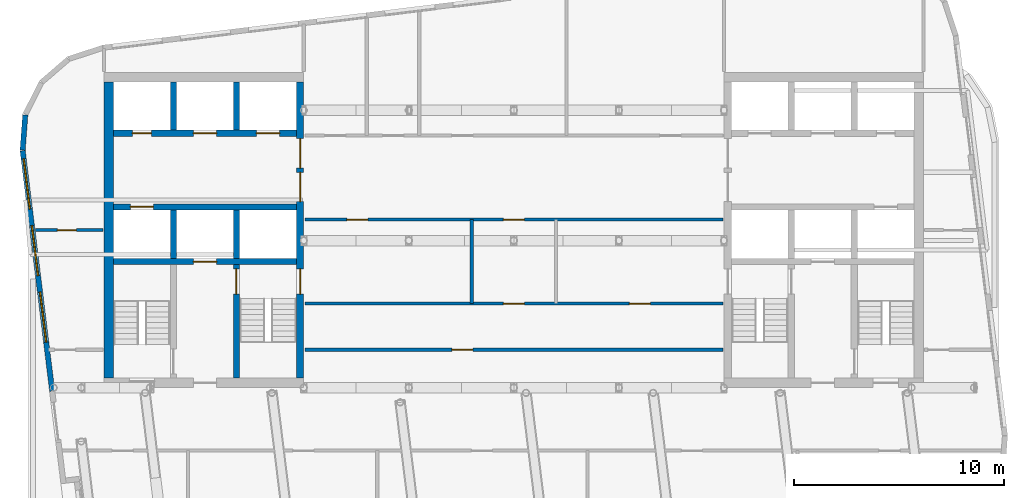
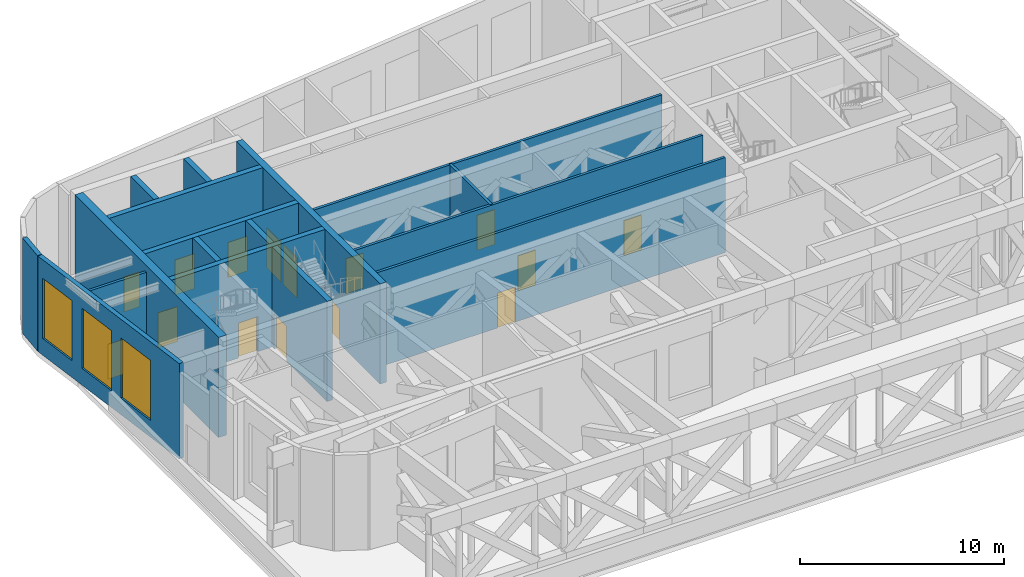
# One storey, part 10 of 16: 17 walls, 15 doors, 3 windows, 18 openings.
"""IFC4 building model written with IfcOpenShell, lengths in metres."""

from ifc_helpers import new_model, si_unit, direction, frame, frame_2d, origin, place, context, subcontext, project, spatial, rectangle, extrude, material, layer, layer_set, type_object, element, fill, save


model = new_model("IFC4")

# Units and contexts
model_context = context("Model", 3, precision=1e-05, world=origin(), true_north=direction((0.0, 1.0)))
body_context = subcontext(model_context, "Body", "Model", "MODEL_VIEW")
ifc_project = project(units=[si_unit("LENGTHUNIT", "METRE"), si_unit("AREAUNIT", "SQUARE_METRE"), si_unit("VOLUMEUNIT", "CUBIC_METRE"), si_unit("PLANEANGLEUNIT", "RADIAN"), si_unit("MASSUNIT", "GRAM", prefix="KILO")], contexts=[model_context])

# Site, building, storey
site_placement = place(None, origin())
site = spatial("IfcSite", under=ifc_project, at=site_placement, CompositionType="ELEMENT")
building_placement = place(site_placement, origin())
building = spatial("IfcBuilding", under=site, at=building_placement, Name="Torana Hotel and Residences", CompositionType="ELEMENT")
storey_placement = place(building_placement, frame((0.0, 0.0, 308.60009765625)))
storey = spatial("IfcBuildingStorey", under=building, at=storey_placement, Name="L82", CompositionType="ELEMENT", Elevation=308.60009765625)

# Wall, openings, doors
ifc_material_1 = material(Name="Concrete C60/75", Category="concrete")
ifc_layer_1 = layer(ifc_material_1, 0.300048828125)
ifc_layer_set_1 = layer_set([ifc_layer_1], Name="CORE WALL 300 C60/75")
wall_type_1 = type_object("IfcWallType", Name="CORE WALL 300 C60/75", PredefinedType="SHEAR", material=ifc_layer_set_1)
wall_1_placement = place(storey_placement, frame((-19.050048828125, -2.89990234375, 0.0), z_axis=(0.0, 0.0, 1.0), x_axis=(1.0, 0.0, 0.0)))
wall_1 = element("IfcWall", 1, at=wall_1_placement, inside=storey, type_object=wall_type_1, Name="Core wall W row-N", PredefinedType="SHEAR", context=body_context, shape_type="SweptSolid", body=[
    extrude(rectangle(XDim=8.699951171875, YDim=0.300048828125, at=frame_2d((4.35009765625, 0.0))), origin(), (0.0, 0.0, 1.0), 6.0),
])
opening_1_placement = place(wall_1_placement, frame((6.800048828125, 0.0, 0.0)))
opening_1 = element("IfcOpeningElement", 2, at=opening_1_placement, cuts=wall_1, Name="Opening LD", PredefinedType="OPENING", context=body_context, shape_type="SweptSolid", body=[
    extrude(rectangle(XDim=1.10009765625, YDim=2.10009765625, at=frame_2d((0.550048828125, 1.050048828125))), frame((0.0, 0.159912109375, 0.0), z_axis=(0.0, -1.0, 0.0), x_axis=(1.0, 0.0, 0.0)), (0.0, 0.0, 1.0), 0.320068359375),
])
opening_2_placement = place(wall_1_placement, frame((3.800048828125, 0.0, 0.0)))
opening_2 = element("IfcOpeningElement", 3, at=opening_2_placement, cuts=wall_1, Name="Opening LD", PredefinedType="OPENING", context=body_context, shape_type="SweptSolid", body=[
    extrude(rectangle(XDim=1.10009765625, YDim=2.10009765625, at=frame_2d((0.550048828125, 1.050048828125))), frame((0.0, 0.159912109375, 0.0), z_axis=(0.0, -1.0, 0.0), x_axis=(1.0, 0.0, 0.0)), (0.0, 0.0, 1.0), 0.320068359375),
])
opening_3_placement = place(wall_1_placement, frame((0.89990234375, 0.0, 0.0)))
opening_3 = element("IfcOpeningElement", 4, at=opening_3_placement, cuts=wall_1, Name="Opening L82-06", PredefinedType="OPENING", context=body_context, shape_type="SweptSolid", body=[
    extrude(rectangle(XDim=0.89990234375, YDim=2.10009765625, at=frame_2d((0.449951171875, 1.050048828125))), frame((0.0, 0.159912109375, 0.0), z_axis=(0.0, -1.0, 0.0), x_axis=(1.0, 0.0, 0.0)), (0.0, 0.0, 1.0), 0.320068359375),
])
ifc_material_2 = material(Name="Stainless steel 316", Category="steel")
door_type_1 = type_object("IfcDoorType", Name="LIFT LANDING DOOR LD 1100x2100", OperationType="DOUBLE_DOOR_SLIDING", PredefinedType="USERDEFINED", material=ifc_material_2)
door_1_placement = place(opening_1_placement, origin())
door_1 = element("IfcDoor", 5, at=door_1_placement, inside=storey, type_object=door_type_1, Name="Lift landing door H1 L82", ObjectType="LIFT LANDING DOOR", OperationType="DOUBLE_DOOR_SLIDING", OverallHeight=2.10009765625, OverallWidth=1.10009765625, PredefinedType="USERDEFINED", context=body_context, shape_type="SweptSolid", body=[
    extrude(rectangle(XDim=1.10009765625, YDim=2.10009765625, at=frame_2d((0.550048828125, 1.050048828125))), frame((0.0, 0.02490234375, 0.0), z_axis=(0.0, -1.0, 0.0), x_axis=(1.0, 0.0, 0.0)), (0.0, 0.0, 1.0), 0.050048828125),
])
fill(opening_1, door_1)
door_2_placement = place(opening_2_placement, origin())
door_2 = element("IfcDoor", 6, at=door_2_placement, inside=storey, type_object=door_type_1, Name="Lift landing door H2 L82", ObjectType="LIFT LANDING DOOR", OperationType="DOUBLE_DOOR_SLIDING", OverallHeight=2.10009765625, OverallWidth=1.10009765625, PredefinedType="USERDEFINED", context=body_context, shape_type="SweptSolid", body=[
    extrude(rectangle(XDim=1.10009765625, YDim=2.10009765625, at=frame_2d((0.550048828125, 1.050048828125))), frame((0.0, 0.02490234375, 0.0), z_axis=(0.0, -1.0, 0.0), x_axis=(1.0, 0.0, 0.0)), (0.0, 0.0, 1.0), 0.050048828125),
])
fill(opening_2, door_2)
ifc_material_3 = material(Name="Steel S235", Category="steel")
door_type_2 = type_object("IfcDoorType", Name="RISER ACCESS DOOR D5 900x2100", OperationType="SINGLE_SWING_LEFT", PredefinedType="DOOR", material=ifc_material_3)
door_3_placement = place(opening_3_placement, origin())
door_3 = element("IfcDoor", 7, at=door_3_placement, inside=storey, type_object=door_type_2, Name="N2 door L82", OperationType="SINGLE_SWING_RIGHT", OverallHeight=2.10009765625, OverallWidth=0.89990234375, PredefinedType="DOOR", context=body_context, shape_type="SweptSolid", body=[
    extrude(rectangle(XDim=0.89990234375, YDim=2.10009765625, at=frame_2d((0.449951171875, 1.050048828125))), frame((0.0, 0.02490234375, 0.0), z_axis=(0.0, -1.0, 0.0), x_axis=(1.0, 0.0, 0.0)), (0.0, 0.0, 1.0), 0.050048828125),
])
fill(opening_3, door_3)

# Wall, opening, door
wall_2_placement = place(storey_placement, frame((-19.050048828125, -6.39990234375, 0.0), z_axis=(0.0, 0.0, 1.0), x_axis=(1.0, 0.0, 0.0)))
wall_2 = element("IfcWall", 8, at=wall_2_placement, inside=storey, type_object=wall_type_1, Name="Core wall W row-S", PredefinedType="SHEAR", context=body_context, shape_type="SweptSolid", body=[
    extrude(rectangle(XDim=8.699951171875, YDim=0.300048828125, at=frame_2d((4.35009765625, 0.0))), origin(), (0.0, 0.0, 1.0), 6.0),
])
opening_4_placement = place(wall_2_placement, frame((0.800048828125, 0.0, 0.0)))
opening_4 = element("IfcOpeningElement", 9, at=opening_4_placement, cuts=wall_2, Name="Opening LD", PredefinedType="OPENING", context=body_context, shape_type="SweptSolid", body=[
    extrude(rectangle(XDim=1.10009765625, YDim=2.10009765625, at=frame_2d((0.550048828125, 1.050048828125))), frame((0.0, 0.159912109375, 0.0), z_axis=(0.0, -1.0, 0.0), x_axis=(1.0, 0.0, 0.0)), (0.0, 0.0, 1.0), 0.320068359375),
])
door_4_placement = place(opening_4_placement, origin())
door_4 = element("IfcDoor", 10, at=door_4_placement, inside=storey, type_object=door_type_1, Name="Lift landing door SV1 L82", ObjectType="LIFT LANDING DOOR", OperationType="DOUBLE_DOOR_SLIDING", OverallHeight=2.10009765625, OverallWidth=1.10009765625, PredefinedType="USERDEFINED", context=body_context, shape_type="SweptSolid", body=[
    extrude(rectangle(XDim=1.10009765625, YDim=2.10009765625, at=frame_2d((0.550048828125, 1.050048828125))), frame((0.0, 0.02490234375, 0.0), z_axis=(0.0, -1.0, 0.0), x_axis=(1.0, 0.0, 0.0)), (0.0, 0.0, 1.0), 0.050048828125),
])
fill(opening_4, door_4)

wall_3_placement = place(storey_placement, frame((-19.050048828125, -9.0, 0.0), z_axis=(0.0, 0.0, 1.0), x_axis=(1.0, 0.0, 0.0)))
wall_3 = element("IfcWall", 11, at=wall_3_placement, inside=storey, type_object=wall_type_1, Name="Core wall W band", PredefinedType="SHEAR", context=body_context, shape_type="SweptSolid", body=[
    extrude(rectangle(XDim=8.699951171875, YDim=0.300048828125, at=frame_2d((4.35009765625, 0.0))), origin(), (0.0, 0.0, 1.0), 6.0),
])
opening_5_placement = place(wall_3_placement, frame((3.800048828125, 0.0, 0.0)))
opening_5 = element("IfcOpeningElement", 12, at=opening_5_placement, cuts=wall_3, Name="Opening LD", PredefinedType="OPENING", context=body_context, shape_type="SweptSolid", body=[
    extrude(rectangle(XDim=1.10009765625, YDim=2.10009765625, at=frame_2d((0.550048828125, 1.050048828125))), frame((0.0, 0.159912109375, 0.0), z_axis=(0.0, -1.0, 0.0), x_axis=(1.0, 0.0, 0.0)), (0.0, 0.0, 1.0), 0.320068359375),
])
door_5_placement = place(opening_5_placement, origin())
door_5 = element("IfcDoor", 13, at=door_5_placement, inside=storey, type_object=door_type_1, Name="Lift landing door FF1 L82", ObjectType="LIFT LANDING DOOR", OperationType="DOUBLE_DOOR_SLIDING", OverallHeight=2.10009765625, OverallWidth=1.10009765625, PredefinedType="USERDEFINED", context=body_context, shape_type="SweptSolid", body=[
    extrude(rectangle(XDim=1.10009765625, YDim=2.10009765625, at=frame_2d((0.550048828125, 1.050048828125))), frame((0.0, 0.02490234375, 0.0), z_axis=(0.0, -1.0, 0.0), x_axis=(1.0, 0.0, 0.0)), (0.0, 0.0, 1.0), 0.050048828125),
])
fill(opening_5, door_5)

# Walls
for number, where, z_axis, x_axis, name in (
    (14, (-13.199951171875, -2.75, 0.0), (0.0, 0.0, 1.0), (0.0, 1.0, 0.0), "Core wall W x3.05-N"),
    (15, (-13.199951171875, -8.85009765625, 0.0), (0.0, 0.0, 1.0), (0.0, 1.0, 0.0), "Core wall W x3.05-S"),
):
    element("IfcWall", number, at=place(storey_placement, frame(where, z_axis=z_axis, x_axis=x_axis)), inside=storey, type_object=wall_type_1, Name=name, PredefinedType="SHEAR", context=body_context, shape_type="SweptSolid", body=[
        extrude(rectangle(XDim=2.300048828125, YDim=0.300048828125, at=frame_2d((1.14990234375, 0.0))), origin(), (0.0, 0.0, 1.0), 6.0),
    ])

# Wall, opening, door
wall_4_placement = place(storey_placement, frame((-13.199951171875, -14.550048828125, 0.0), z_axis=(0.0, 0.0, 1.0), x_axis=(0.0, 1.0, 0.0)))
wall_4 = element("IfcWall", 16, at=wall_4_placement, inside=storey, type_object=wall_type_1, Name="Core wall W x3.05-band", PredefinedType="SHEAR", context=body_context, shape_type="SweptSolid", body=[
    extrude(rectangle(XDim=5.400146484375, YDim=0.300048828125, at=frame_2d((2.7001953125, 0.0))), origin(), (0.0, 0.0, 1.0), 6.0),
])
opening_6_placement = place(wall_4_placement, frame((4.0, 0.0, 0.0)))
opening_6 = element("IfcOpeningElement", 17, at=opening_6_placement, cuts=wall_4, Name="Opening L82-07", PredefinedType="OPENING", context=body_context, shape_type="SweptSolid", body=[
    extrude(rectangle(XDim=1.199951171875, YDim=2.10009765625, at=frame_2d((0.60009765625, 1.050048828125))), frame((0.0, 0.159912109375, 0.0), z_axis=(0.0, -1.0, 0.0), x_axis=(1.0, 0.0, 0.0)), (0.0, 0.0, 1.0), 0.320068359375),
])
ifc_material_4 = material(Name="Steel S235", Category="steel")
door_type_3 = type_object("IfcDoorType", Name="STAIR FIRE DOOR D3 1200x2100", OperationType="SINGLE_SWING_LEFT", PredefinedType="DOOR", material=ifc_material_4)
door_6_placement = place(opening_6_placement, frame((0.60009765625, 0.0, 0.0), z_axis=(0.0, 0.0, 1.0), x_axis=(-1.0, 0.0, 0.0)))
door_6 = element("IfcDoor", 18, at=door_6_placement, inside=storey, type_object=door_type_3, Name="Stair-A-lobby door L82", OperationType="SINGLE_SWING_RIGHT", OverallHeight=2.10009765625, OverallWidth=1.199951171875, PredefinedType="DOOR", context=body_context, shape_type="SweptSolid", body=[
    extrude(rectangle(XDim=1.199951171875, YDim=2.10009765625, at=frame_2d((0.0, 1.050048828125))), frame((0.0, -0.02490234375, 0.0), z_axis=(0.0, 1.0, 0.0), x_axis=(-1.0, 0.0, 0.0)), (0.0, 0.0, 1.0), 0.050048828125),
])
fill(opening_6, door_6)

# Walls
for number, where, z_axis, x_axis, name in (
    (19, (-16.199951171875, -2.75, 0.0), (0.0, 0.0, 1.0), (0.0, 1.0, 0.0), "Core wall W x6.05-N"),
    (20, (-16.199951171875, -8.85009765625, 0.0), (0.0, 0.0, 1.0), (0.0, 1.0, 0.0), "Core wall W x6.05-S"),
):
    element("IfcWall", number, at=place(storey_placement, frame(where, z_axis=z_axis, x_axis=x_axis)), inside=storey, type_object=wall_type_1, Name=name, PredefinedType="SHEAR", context=body_context, shape_type="SweptSolid", body=[
        extrude(rectangle(XDim=2.300048828125, YDim=0.300048828125, at=frame_2d((1.14990234375, 0.0))), origin(), (0.0, 0.0, 1.0), 6.0),
    ])

# Wall, openings, doors
ifc_material_5 = material(Name="Concrete C60/75", Category="concrete")
ifc_layer_2 = layer(ifc_material_5, 0.35009765625)
ifc_layer_set_2 = layer_set([ifc_layer_2], Name="CORE WALL 350 C60/75")
wall_type_2 = type_object("IfcWallType", Name="CORE WALL 350 C60/75", PredefinedType="SHEAR", material=ifc_layer_set_2)
wall_5_placement = place(storey_placement, frame((-10.175048828125, -14.550048828125, 0.0), z_axis=(0.0, 0.0, 1.0), x_axis=(0.0, 1.0, 0.0)))
wall_5 = element("IfcWall", 21, at=wall_5_placement, inside=storey, type_object=wall_type_2, Name="Core wall W arch", PredefinedType="SHEAR", context=body_context, shape_type="SweptSolid", body=[
    extrude(rectangle(XDim=14.10009765625, YDim=0.35009765625, at=frame_2d((7.050048828125, 0.0))), origin(), (0.0, 0.0, 1.0), 6.0),
])
opening_7_placement = place(wall_5_placement, frame((8.39990234375, 0.0, 0.0)))
opening_7 = element("IfcOpeningElement", 22, at=opening_7_placement, cuts=wall_5, Name="Opening L82-01", PredefinedType="OPENING", context=body_context, shape_type="SweptSolid", body=[
    extrude(rectangle(XDim=1.39990234375, YDim=2.39990234375, at=frame_2d((0.699951171875, 1.199951171875))), frame((0.0, 0.18505859375, 0.0), z_axis=(0.0, -1.0, 0.0), x_axis=(1.0, 0.0, 0.0)), (0.0, 0.0, 1.0), 0.3701171875),
])
opening_8_placement = place(wall_5_placement, frame((10.0, 0.0, 0.0)))
opening_8 = element("IfcOpeningElement", 23, at=opening_8_placement, cuts=wall_5, Name="Opening L82-02", PredefinedType="OPENING", context=body_context, shape_type="SweptSolid", body=[
    extrude(rectangle(XDim=1.39990234375, YDim=2.39990234375, at=frame_2d((0.699951171875, 1.199951171875))), frame((0.0, 0.18505859375, 0.0), z_axis=(0.0, -1.0, 0.0), x_axis=(1.0, 0.0, 0.0)), (0.0, 0.0, 1.0), 0.3701171875),
])
opening_9_placement = place(wall_5_placement, frame((4.0, 0.0, 0.0)))
opening_9 = element("IfcOpeningElement", 24, at=opening_9_placement, cuts=wall_5, Name="Opening L82-03", PredefinedType="OPENING", context=body_context, shape_type="SweptSolid", body=[
    extrude(rectangle(XDim=1.199951171875, YDim=2.10009765625, at=frame_2d((0.60009765625, 1.050048828125))), frame((0.0, 0.18505859375, 0.0), z_axis=(0.0, -1.0, 0.0), x_axis=(1.0, 0.0, 0.0)), (0.0, 0.0, 1.0), 0.3701171875),
])
ifc_material_6 = material(Name="Steel S235", Category="steel")
door_type_4 = type_object("IfcDoorType", Name="LOBBY FIRE DOOR D4 1400x2400", OperationType="DOUBLE_DOOR_SINGLE_SWING", PredefinedType="DOOR", material=ifc_material_6)
door_7_placement = place(opening_7_placement, origin())
door_7 = element("IfcDoor", 25, at=door_7_placement, inside=storey, type_object=door_type_4, Name="Lobby-1 door L82", OperationType="DOUBLE_DOOR_SINGLE_SWING", OverallHeight=2.39990234375, OverallWidth=1.39990234375, PredefinedType="DOOR", context=body_context, shape_type="SweptSolid", body=[
    extrude(rectangle(XDim=1.39990234375, YDim=2.39990234375, at=frame_2d((0.699951171875, 1.199951171875))), frame((0.0, 0.02490234375, 0.0), z_axis=(0.0, -1.0, 0.0), x_axis=(1.0, 0.0, 0.0)), (0.0, 0.0, 1.0), 0.050048828125),
])
fill(opening_7, door_7)
door_8_placement = place(opening_8_placement, origin())
door_8 = element("IfcDoor", 26, at=door_8_placement, inside=storey, type_object=door_type_4, Name="Lobby-2 door L82", OperationType="DOUBLE_DOOR_SINGLE_SWING", OverallHeight=2.39990234375, OverallWidth=1.39990234375, PredefinedType="DOOR", context=body_context, shape_type="SweptSolid", body=[
    extrude(rectangle(XDim=1.39990234375, YDim=2.39990234375, at=frame_2d((0.699951171875, 1.199951171875))), frame((0.0, 0.02490234375, 0.0), z_axis=(0.0, -1.0, 0.0), x_axis=(1.0, 0.0, 0.0)), (0.0, 0.0, 1.0), 0.050048828125),
])
fill(opening_8, door_8)
door_9_placement = place(opening_9_placement, origin())
door_9 = element("IfcDoor", 27, at=door_9_placement, inside=storey, type_object=door_type_3, Name="Stair-A door L82", OperationType="SINGLE_SWING_LEFT", OverallHeight=2.10009765625, OverallWidth=1.199951171875, PredefinedType="DOOR", context=body_context, shape_type="SweptSolid", body=[
    extrude(rectangle(XDim=1.199951171875, YDim=2.10009765625, at=frame_2d((0.60009765625, 1.050048828125))), frame((0.0, 0.02490234375, 0.0), z_axis=(0.0, -1.0, 0.0), x_axis=(1.0, 0.0, 0.0)), (0.0, 0.0, 1.0), 0.050048828125),
])
fill(opening_9, door_9)

# Walls
ifc_material_7 = material(Name="Concrete C60/75", Category="concrete")
ifc_layer_3 = layer(ifc_material_7, 0.449951171875)
ifc_layer_set_3 = layer_set([ifc_layer_3], Name="CORE WALL 450 C60/75")
wall_type_3 = type_object("IfcWallType", Name="CORE WALL 450 C60/75", PredefinedType="SHEAR", material=ifc_layer_set_3)
wall_6_placement = place(storey_placement, frame((-19.27490234375, -14.550048828125, 0.0), z_axis=(0.0, 0.0, 1.0), x_axis=(0.0, 1.0, 0.0)))
element("IfcWall", 28, at=wall_6_placement, inside=storey, type_object=wall_type_3, Name="Core wall W outer", PredefinedType="SHEAR", context=body_context, shape_type="SweptSolid", body=[
    extrude(rectangle(XDim=14.10009765625, YDim=0.449951171875, at=frame_2d((7.050048828125, 0.0))), origin(), (0.0, 0.0, 1.0), 6.0),
])
ifc_material_8 = material(Name="Aluminium louvre wall", Category="aluminium")
ifc_layer_4 = layer(ifc_material_8, 0.25)
ifc_layer_set_4 = layer_set([ifc_layer_4], Name="EW3 LOUVRE WALL 250")
wall_type_4 = type_object("IfcWallType", Name="EW3 LOUVRE WALL 250", PredefinedType="SOLIDWALL", material=ifc_layer_set_4)
wall_7_placement = place(storey_placement, frame((-23.251220703125, -2.021484375, 0.0), z_axis=(0.0, 0.0, 1.0), x_axis=(-0.074053534713, -0.997254267475, 0.0)))
element("IfcWall", 29, at=wall_7_placement, inside=storey, type_object=wall_type_4, Name="Louvre wall L82 e0.8", PredefinedType="SOLIDWALL", context=body_context, shape_type="SweptSolid", body=[
    extrude(rectangle(XDim=1.681396484375, YDim=0.25, at=frame_2d((0.8408203125, 0.0))), origin(), (0.0, 0.0, 1.0), 5.719970703125),
])

# Wall, openings, windows
wall_8_placement = place(storey_placement, frame((-23.375, -3.722900390625, 0.0), z_axis=(0.0, 0.0, 1.0), x_axis=(0.121852870635, -0.992548174104, 0.0)))
wall_8 = element("IfcWall", 30, at=wall_8_placement, inside=storey, type_object=wall_type_4, Name="Louvre wall L82 e0.9a", PredefinedType="SOLIDWALL", context=body_context, shape_type="SweptSolid", body=[
    extrude(rectangle(XDim=11.528564453125, YDim=0.25, at=frame_2d((5.76416015625, 0.0))), origin(), (0.0, 0.0, 1.0), 5.719970703125),
])
opening_10_placement = place(wall_8_placement, frame((0.39599609375, 0.0, 1.0048828125)))
opening_10 = element("IfcOpeningElement", 31, at=opening_10_placement, cuts=wall_8, Name="Opening LV2", PredefinedType="OPENING", context=body_context, shape_type="SweptSolid", body=[
    extrude(rectangle(XDim=2.39990234375, YDim=3.60009765625, at=frame_2d((1.199951171875, 1.800048828125))), frame((0.0, 0.135009765625, 0.0), z_axis=(0.0, -1.0, 0.0), x_axis=(1.0, 0.0, 0.0)), (0.0, 0.0, 1.0), 0.27001953125),
])
opening_11_placement = place(wall_8_placement, frame((3.587646484375, 0.0, 1.0048828125)))
opening_11 = element("IfcOpeningElement", 32, at=opening_11_placement, cuts=wall_8, Name="Opening LV2", PredefinedType="OPENING", context=body_context, shape_type="SweptSolid", body=[
    extrude(rectangle(XDim=2.39990234375, YDim=3.60009765625, at=frame_2d((1.199951171875, 1.800048828125))), frame((0.0, 0.135009765625, 0.0), z_axis=(0.0, -1.0, 0.0), x_axis=(1.0, 0.0, 0.0)), (0.0, 0.0, 1.0), 0.27001953125),
])
opening_12_placement = place(wall_8_placement, frame((6.779541015625, 0.0, 1.0048828125)))
opening_12 = element("IfcOpeningElement", 33, at=opening_12_placement, cuts=wall_8, Name="Opening LV2", PredefinedType="OPENING", context=body_context, shape_type="SweptSolid", body=[
    extrude(rectangle(XDim=2.39990234375, YDim=3.60009765625, at=frame_2d((1.199951171875, 1.800048828125))), frame((0.0, 0.135009765625, 0.0), z_axis=(0.0, -1.0, 0.0), x_axis=(1.0, 0.0, 0.0)), (0.0, 0.0, 1.0), 0.27001953125),
])
ifc_material_9 = material(Name="Aluminium louvre blades", Category="aluminium")
window_type = type_object("IfcWindowType", Name="LV2 LOUVRE 2400x3600", PartitioningType="SINGLE_PANEL", PredefinedType="USERDEFINED", material=ifc_material_9)
window_1_placement = place(opening_10_placement, origin())
window_1 = element("IfcWindow", 34, at=window_1_placement, inside=storey, type_object=window_type, Name="Louvre L82", ObjectType="LOUVRE", OverallHeight=3.60009765625, OverallWidth=2.39990234375, PartitioningType="SINGLE_PANEL", PredefinedType="USERDEFINED", context=body_context, shape_type="SweptSolid", body=[
    extrude(rectangle(XDim=2.39990234375, YDim=3.60009765625, at=frame_2d((1.199951171875, 1.800048828125))), frame((0.0, 0.030029296875, 0.0), z_axis=(0.0, -1.0, 0.0), x_axis=(1.0, 0.0, 0.0)), (0.0, 0.0, 1.0), 0.06005859375),
])
fill(opening_10, window_1)
window_2_placement = place(opening_11_placement, origin())
window_2 = element("IfcWindow", 35, at=window_2_placement, inside=storey, type_object=window_type, Name="Louvre L82", ObjectType="LOUVRE", OverallHeight=3.60009765625, OverallWidth=2.39990234375, PartitioningType="SINGLE_PANEL", PredefinedType="USERDEFINED", context=body_context, shape_type="SweptSolid", body=[
    extrude(rectangle(XDim=2.39990234375, YDim=3.60009765625, at=frame_2d((1.199951171875, 1.800048828125))), frame((0.0, 0.030029296875, 0.0), z_axis=(0.0, -1.0, 0.0), x_axis=(1.0, 0.0, 0.0)), (0.0, 0.0, 1.0), 0.06005859375),
])
fill(opening_11, window_2)
window_3_placement = place(opening_12_placement, origin())
window_3 = element("IfcWindow", 36, at=window_3_placement, inside=storey, type_object=window_type, Name="Louvre L82", ObjectType="LOUVRE", OverallHeight=3.60009765625, OverallWidth=2.39990234375, PartitioningType="SINGLE_PANEL", PredefinedType="USERDEFINED", context=body_context, shape_type="SweptSolid", body=[
    extrude(rectangle(XDim=2.39990234375, YDim=3.60009765625, at=frame_2d((1.199951171875, 1.800048828125))), frame((0.0, 0.030029296875, 0.0), z_axis=(0.0, -1.0, 0.0), x_axis=(1.0, 0.0, 0.0)), (0.0, 0.0, 1.0), 0.06005859375),
])
fill(opening_12, window_3)

# Wall
ifc_material_10 = material(Name="Gypsum plaster")
ifc_layer_5 = layer(ifc_material_10, 0.014892578125, Name="Plaster", Category="finish")
ifc_material_11 = material(Name="Concrete blockwork", Category="masonry")
ifc_layer_6 = layer(ifc_material_11, 0.1201171875, Name="Blockwork", Category="structure")
ifc_layer_7 = layer(ifc_material_10, 0.014892578125, Name="Plaster", Category="finish")
ifc_layer_set_5 = layer_set([ifc_layer_5, ifc_layer_6, ifc_layer_7], Name="FIRE PARTITION 150 BLOCKWORK")
wall_type_5 = type_object("IfcWallType", Name="FIRE PARTITION 150 BLOCKWORK", PredefinedType="PARTITIONING", material=ifc_layer_set_5)
wall_9_placement = place(storey_placement, frame((-2.0, -11.0, 0.0), z_axis=(0.0, 0.0, 1.0), x_axis=(0.0, 1.0, 0.0)))
element("IfcWall", 37, at=wall_9_placement, inside=storey, type_object=wall_type_5, Name="Partition L82", PredefinedType="PARTITIONING", context=body_context, shape_type="SweptSolid", body=[
    extrude(rectangle(XDim=4.0, YDim=0.14990234375, at=frame_2d((2.0, 0.0))), origin(), (0.0, 0.0, 1.0), 5.699951171875),
])

# Wall, opening, door
wall_10_placement = place(storey_placement, frame((-9.949951171875, -13.199951171875, 0.0), z_axis=(0.0, 0.0, 1.0), x_axis=(1.0, 0.0, 0.0)))
wall_10 = element("IfcWall", 38, at=wall_10_placement, inside=storey, type_object=wall_type_5, Name="Partition L82", PredefinedType="PARTITIONING", context=body_context, shape_type="SweptSolid", body=[
    extrude(rectangle(XDim=19.89990234375, YDim=0.14990234375, at=frame_2d((9.949951171875, 0.0))), origin(), (0.0, 0.0, 1.0), 5.699951171875),
])
opening_13_placement = place(wall_10_placement, frame((7.0, 0.0, 0.0)))
opening_13 = element("IfcOpeningElement", 39, at=opening_13_placement, cuts=wall_10, Name="Opening L82-17", PredefinedType="OPENING", context=body_context, shape_type="SweptSolid", body=[
    extrude(rectangle(XDim=1.0, YDim=2.10009765625, at=frame_2d((0.5, 1.050048828125))), frame((0.0, 0.0849609375, 0.0), z_axis=(0.0, -1.0, 0.0), x_axis=(1.0, 0.0, 0.0)), (0.0, 0.0, 1.0), 0.169921875),
])
ifc_material_12 = material(Name="Steel S235", Category="steel")
door_type_5 = type_object("IfcDoorType", Name="ENTRY FIRE DOOR D6 1000x2100", OperationType="SINGLE_SWING_LEFT", PredefinedType="DOOR", material=ifc_material_12)
door_10_placement = place(opening_13_placement, origin())
door_10 = element("IfcDoor", 40, at=door_10_placement, inside=storey, type_object=door_type_5, Name="Door L82", OperationType="SINGLE_SWING_RIGHT", OverallHeight=2.10009765625, OverallWidth=1.0, PredefinedType="DOOR", context=body_context, shape_type="SweptSolid", body=[
    extrude(rectangle(XDim=1.0, YDim=2.10009765625, at=frame_2d((0.5, 1.050048828125))), frame((0.0, 0.02490234375, 0.0), z_axis=(0.0, -1.0, 0.0), x_axis=(1.0, 0.0, 0.0)), (0.0, 0.0, 1.0), 0.050048828125),
])
fill(opening_13, door_10)

# Wall, openings, doors
wall_11_placement = place(storey_placement, frame((-9.949951171875, -11.0, 0.0), z_axis=(0.0, 0.0, 1.0), x_axis=(1.0, 0.0, 0.0)))
wall_11 = element("IfcWall", 41, at=wall_11_placement, inside=storey, type_object=wall_type_5, Name="Partition L82", PredefinedType="PARTITIONING", context=body_context, shape_type="SweptSolid", body=[
    extrude(rectangle(XDim=19.89990234375, YDim=0.14990234375, at=frame_2d((9.949951171875, 0.0))), origin(), (0.0, 0.0, 1.0), 5.699951171875),
])
opening_14_placement = place(wall_11_placement, frame((9.449951171875, 0.0, 0.0)))
opening_14 = element("IfcOpeningElement", 42, at=opening_14_placement, cuts=wall_11, Name="Opening L82-25", PredefinedType="OPENING", context=body_context, shape_type="SweptSolid", body=[
    extrude(rectangle(XDim=1.0, YDim=2.10009765625, at=frame_2d((0.5, 1.050048828125))), frame((0.0, 0.0849609375, 0.0), z_axis=(0.0, -1.0, 0.0), x_axis=(1.0, 0.0, 0.0)), (0.0, 0.0, 1.0), 0.169921875),
])
opening_15_placement = place(wall_11_placement, frame((15.449951171875, 0.0, 0.0)))
opening_15 = element("IfcOpeningElement", 43, at=opening_15_placement, cuts=wall_11, Name="Opening L82-26", PredefinedType="OPENING", context=body_context, shape_type="SweptSolid", body=[
    extrude(rectangle(XDim=1.0, YDim=2.10009765625, at=frame_2d((0.5, 1.050048828125))), frame((0.0, 0.0849609375, 0.0), z_axis=(0.0, -1.0, 0.0), x_axis=(1.0, 0.0, 0.0)), (0.0, 0.0, 1.0), 0.169921875),
])
door_11_placement = place(opening_14_placement, origin())
door_11 = element("IfcDoor", 44, at=door_11_placement, inside=storey, type_object=door_type_5, Name="Door L82", OperationType="SINGLE_SWING_RIGHT", OverallHeight=2.10009765625, OverallWidth=1.0, PredefinedType="DOOR", context=body_context, shape_type="SweptSolid", body=[
    extrude(rectangle(XDim=1.0, YDim=2.10009765625, at=frame_2d((0.5, 1.050048828125))), frame((0.0, 0.02490234375, 0.0), z_axis=(0.0, -1.0, 0.0), x_axis=(1.0, 0.0, 0.0)), (0.0, 0.0, 1.0), 0.050048828125),
])
fill(opening_14, door_11)
door_12_placement = place(opening_15_placement, origin())
door_12 = element("IfcDoor", 45, at=door_12_placement, inside=storey, type_object=door_type_5, Name="Door L82", OperationType="SINGLE_SWING_RIGHT", OverallHeight=2.10009765625, OverallWidth=1.0, PredefinedType="DOOR", context=body_context, shape_type="SweptSolid", body=[
    extrude(rectangle(XDim=1.0, YDim=2.10009765625, at=frame_2d((0.5, 1.050048828125))), frame((0.0, 0.02490234375, 0.0), z_axis=(0.0, -1.0, 0.0), x_axis=(1.0, 0.0, 0.0)), (0.0, 0.0, 1.0), 0.050048828125),
])
fill(opening_15, door_12)

wall_12_placement = place(storey_placement, frame((-9.949951171875, -7.0, 0.0), z_axis=(0.0, 0.0, 1.0), x_axis=(1.0, 0.0, 0.0)))
wall_12 = element("IfcWall", 46, at=wall_12_placement, inside=storey, type_object=wall_type_5, Name="Partition L82", PredefinedType="PARTITIONING", context=body_context, shape_type="SweptSolid", body=[
    extrude(rectangle(XDim=19.89990234375, YDim=0.14990234375, at=frame_2d((9.949951171875, 0.0))), origin(), (0.0, 0.0, 1.0), 5.699951171875),
])
opening_16_placement = place(wall_12_placement, frame((9.449951171875, 0.0, 0.0)))
opening_16 = element("IfcOpeningElement", 47, at=opening_16_placement, cuts=wall_12, Name="Opening L82-27", PredefinedType="OPENING", context=body_context, shape_type="SweptSolid", body=[
    extrude(rectangle(XDim=1.0, YDim=2.10009765625, at=frame_2d((0.5, 1.050048828125))), frame((0.0, 0.0849609375, 0.0), z_axis=(0.0, -1.0, 0.0), x_axis=(1.0, 0.0, 0.0)), (0.0, 0.0, 1.0), 0.169921875),
])
opening_17_placement = place(wall_12_placement, frame((2.0, 0.0, 0.0)))
opening_17 = element("IfcOpeningElement", 48, at=opening_17_placement, cuts=wall_12, Name="Opening L82-28", PredefinedType="OPENING", context=body_context, shape_type="SweptSolid", body=[
    extrude(rectangle(XDim=1.0, YDim=2.10009765625, at=frame_2d((0.5, 1.050048828125))), frame((0.0, 0.0849609375, 0.0), z_axis=(0.0, -1.0, 0.0), x_axis=(1.0, 0.0, 0.0)), (0.0, 0.0, 1.0), 0.169921875),
])
door_13_placement = place(opening_16_placement, origin())
door_13 = element("IfcDoor", 49, at=door_13_placement, inside=storey, type_object=door_type_5, Name="Door L82", OperationType="SINGLE_SWING_RIGHT", OverallHeight=2.10009765625, OverallWidth=1.0, PredefinedType="DOOR", context=body_context, shape_type="SweptSolid", body=[
    extrude(rectangle(XDim=1.0, YDim=2.10009765625, at=frame_2d((0.5, 1.050048828125))), frame((0.0, 0.02490234375, 0.0), z_axis=(0.0, -1.0, 0.0), x_axis=(1.0, 0.0, 0.0)), (0.0, 0.0, 1.0), 0.050048828125),
])
fill(opening_16, door_13)
door_14_placement = place(opening_17_placement, frame((0.5, 0.0, 0.0), z_axis=(0.0, 0.0, 1.0), x_axis=(-1.0, 0.0, 0.0)))
door_14 = element("IfcDoor", 50, at=door_14_placement, inside=storey, type_object=door_type_5, Name="Door L82", OperationType="SINGLE_SWING_LEFT", OverallHeight=2.10009765625, OverallWidth=1.0, PredefinedType="DOOR", context=body_context, shape_type="SweptSolid", body=[
    extrude(rectangle(XDim=1.0, YDim=2.10009765625, at=frame_2d((0.0, 1.050048828125))), frame((0.0, -0.02490234375, 0.0), z_axis=(0.0, 1.0, 0.0), x_axis=(-1.0, 0.0, 0.0)), (0.0, 0.0, 1.0), 0.050048828125),
])
fill(opening_17, door_14)

# Wall, opening, door
ifc_material_13 = material(Name="Gypsum plasterboard")
ifc_layer_8 = layer(ifc_material_13, 0.012451171875, Name="Plasterboard", Category="finish")
ifc_layer_9 = layer(ifc_material_13, 0.012451171875, Name="Plasterboard", Category="finish")
ifc_material_14 = material(Name="Steel S280GD", Category="steel")
ifc_layer_10 = layer(ifc_material_14, 0.10009765625, Name="Steel studs with mineral wool", Category="insulation")
ifc_layer_11 = layer(ifc_material_13, 0.012451171875, Name="Plasterboard", Category="finish")
ifc_layer_12 = layer(ifc_material_13, 0.012451171875, Name="Plasterboard", Category="finish")
ifc_layer_set_6 = layer_set([ifc_layer_8, ifc_layer_9, ifc_layer_10, ifc_layer_11, ifc_layer_12], Name="PARTITION 150 PLASTERBOARD")
wall_type_6 = type_object("IfcWallType", Name="PARTITION 150 PLASTERBOARD", PredefinedType="PARTITIONING", material=ifc_layer_set_6)
wall_13_placement = place(storey_placement, frame((-22.773193359375, -7.5, 0.0), z_axis=(0.0, 0.0, 1.0), x_axis=(1.0, 0.0, 0.0)))
wall_13 = element("IfcWall", 51, at=wall_13_placement, inside=storey, type_object=wall_type_6, Name="Partition L82", PredefinedType="PARTITIONING", context=body_context, shape_type="SweptSolid", body=[
    extrude(rectangle(XDim=3.22314453125, YDim=0.14990234375, at=frame_2d((1.611572265625, 0.0))), origin(), (0.0, 0.0, 1.0), 5.699951171875),
])
opening_18_placement = place(wall_13_placement, frame((1.055419921875, 0.0, 0.0)))
opening_18 = element("IfcOpeningElement", 52, at=opening_18_placement, cuts=wall_13, Name="Opening L82-33", PredefinedType="OPENING", context=body_context, shape_type="SweptSolid", body=[
    extrude(rectangle(XDim=0.89990234375, YDim=2.10009765625, at=frame_2d((0.449951171875, 1.050048828125))), frame((0.0, 0.0849609375, 0.0), z_axis=(0.0, -1.0, 0.0), x_axis=(1.0, 0.0, 0.0)), (0.0, 0.0, 1.0), 0.169921875),
])
ifc_material_15 = material(Name="Timber door, oiled ash", Category="wood")
door_type_6 = type_object("IfcDoorType", Name="ROOM DOOR D7 900x2100", OperationType="SINGLE_SWING_LEFT", PredefinedType="DOOR", material=ifc_material_15)
door_15_placement = place(opening_18_placement, origin())
door_15 = element("IfcDoor", 53, at=door_15_placement, inside=storey, type_object=door_type_6, Name="Door L82", OperationType="SINGLE_SWING_RIGHT", OverallHeight=2.10009765625, OverallWidth=0.89990234375, PredefinedType="DOOR", context=body_context, shape_type="SweptSolid", body=[
    extrude(rectangle(XDim=0.89990234375, YDim=2.10009765625, at=frame_2d((0.449951171875, 1.050048828125))), frame((0.0, 0.02490234375, 0.0), z_axis=(0.0, -1.0, 0.0), x_axis=(1.0, 0.0, 0.0)), (0.0, 0.0, 1.0), 0.050048828125),
])
fill(opening_18, door_15)

save(model, "model.ifc")
